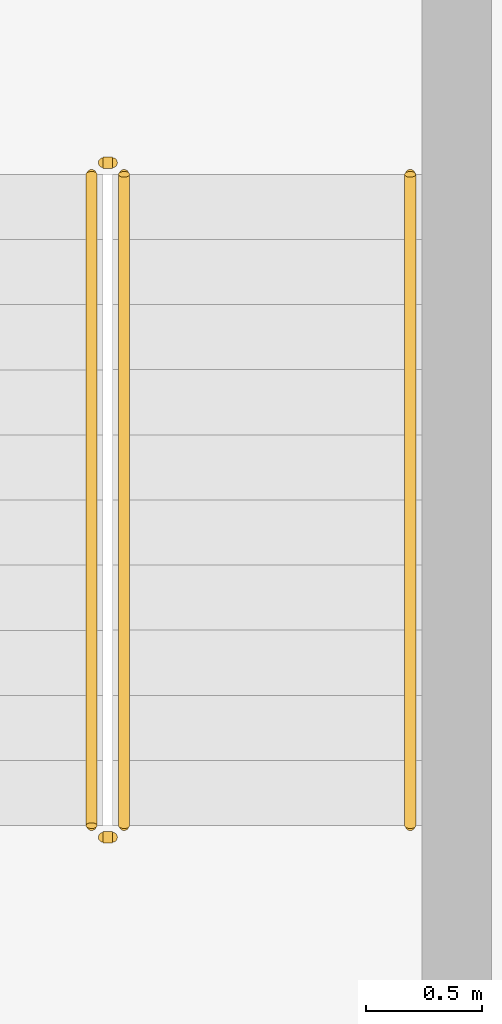
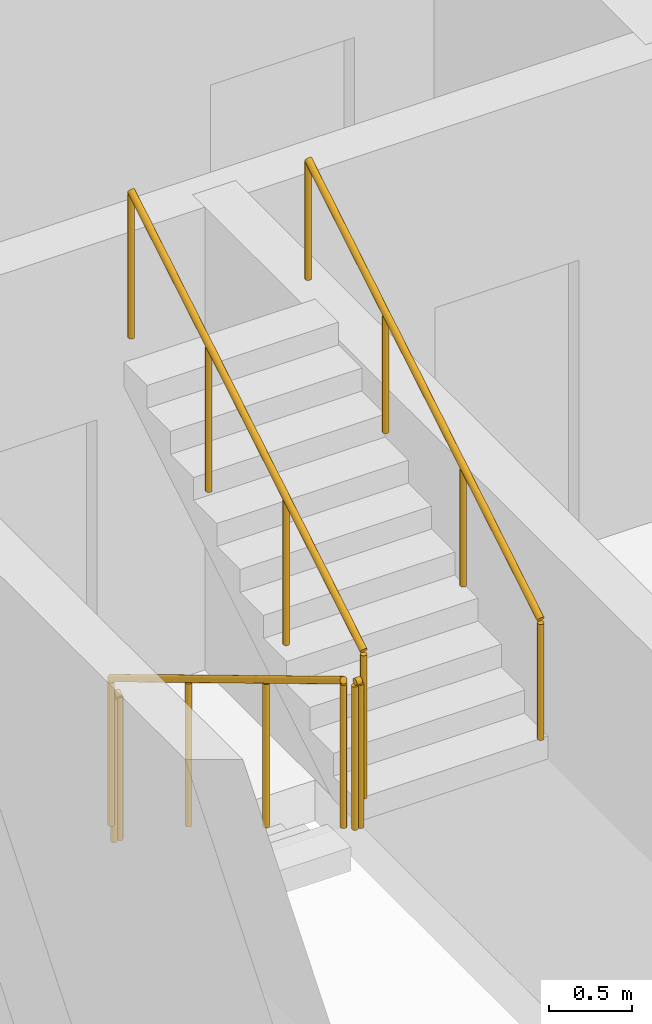
# One storey, part 19 of 19: 5 railings.
"""IFC4 building model written with IfcOpenShell, lengths in metres."""

from ifc_helpers import new_model, si_unit, direction, frame, origin, origin_2d, place, context, subcontext, project, spatial, circle, extrude, material, type_object, element, save


model = new_model("IFC4")

# Units and contexts
model_context = context("Model", 3, precision=1e-05, world=origin(), true_north=direction((0.0, 1.0)))
body_context = subcontext(model_context, "Body", "Model", "MODEL_VIEW")
ifc_project = project(units=[si_unit("LENGTHUNIT", "METRE"), si_unit("AREAUNIT", "SQUARE_METRE"), si_unit("VOLUMEUNIT", "CUBIC_METRE"), si_unit("PLANEANGLEUNIT", "RADIAN"), si_unit("MASSUNIT", "GRAM", prefix="KILO")], contexts=[model_context])

# Site, building, storey
site_placement = place(None, origin())
site = spatial("IfcSite", under=ifc_project, at=site_placement, CompositionType="ELEMENT")
building_placement = place(site_placement, origin())
building = spatial("IfcBuilding", under=site, at=building_placement, Name="Ogive Portal Towers", CompositionType="ELEMENT")
storey_placement = place(building_placement, frame((0.0, 0.0, 229.10009765625)))
storey = spatial("IfcBuildingStorey", under=building, at=storey_placement, Name="L57", CompositionType="ELEMENT", Elevation=229.10009765625)

# Railings
ifc_material_1 = material(Name="Stainless steel balustrade", Category="steel")
railing_type_1 = type_object("IfcRailingType", Name="INT-GUARD", PredefinedType="GUARDRAIL", material=ifc_material_1)
railing_1_placement = place(storey_placement, frame((88.280029296875, 29.169921875, 0.16796875)))
element("IfcRailing", 1, at=railing_1_placement, inside=storey, type_object=railing_type_1, Name="L57 ST-A4 stair guard 1", PredefinedType="GUARDRAIL", context=body_context, shape_type="SweptSolid", body=[
    extrude(circle(Radius=0.02392578125, at=origin_2d()), frame((0.0, 0.0, 1.076171875), z_axis=(0.0, -0.857222391501, 0.514946377315), x_axis=(1.0, 0.0, 0.0)), (0.0, 0.0, 1.0), 3.26611328125),
    extrude(circle(Radius=0.02099609375, at=origin_2d()), origin(), (0.0, 0.0, 1.0), 1.052001953125),
    extrude(circle(Radius=0.02099609375, at=origin_2d()), frame((0.0, -0.933349609375, 0.560546875)), (0.0, 0.0, 1.0), 1.052001953125),
    extrude(circle(Radius=0.02099609375, at=origin_2d()), frame((0.0, -1.866455078125, 1.121337890625)), (0.0, 0.0, 1.0), 1.052001953125),
    extrude(circle(Radius=0.02099609375, at=origin_2d()), frame((0.0, -2.7998046875, 1.681884765625)), (0.0, 0.0, 1.0), 1.052001953125),
])
railing_2_placement = place(storey_placement, frame((88.330078125, 26.320068359375, 1.849853515625)))
element("IfcRailing", 2, at=railing_2_placement, inside=storey, type_object=railing_type_1, Name="L57 ST-A4 stair guard 2", PredefinedType="GUARDRAIL", context=body_context, shape_type="SweptSolid", body=[
    extrude(circle(Radius=0.02392578125, at=origin_2d()), frame((0.0, 0.0, 1.076171875), z_axis=(1.0, 0.0, 0.0), x_axis=(0.0, 1.0, 0.0)), (0.0, 0.0, 1.0), 0.0400390625),
    extrude(circle(Radius=0.02099609375, at=origin_2d()), origin(), (0.0, 0.0, 1.0), 1.052001953125),
    extrude(circle(Radius=0.02099609375, at=origin_2d()), frame((0.0400390625, 0.0, 0.0)), (0.0, 0.0, 1.0), 1.052001953125),
])
railing_3_placement = place(storey_placement, frame((88.419921875, 26.3701171875, 2.01806640625)))
element("IfcRailing", 3, at=railing_3_placement, inside=storey, type_object=railing_type_1, Name="L57 ST-A4 stair guard 3", PredefinedType="GUARDRAIL", context=body_context, shape_type="SweptSolid", body=[
    extrude(circle(Radius=0.02392578125, at=origin_2d()), frame((0.0, 0.0, 1.076171875), z_axis=(0.0, 0.857222391501, 0.514946377315), x_axis=(-1.0, 0.0, 0.0)), (0.0, 0.0, 1.0), 3.26611328125),
    extrude(circle(Radius=0.02099609375, at=origin_2d()), origin(), (0.0, 0.0, 1.0), 1.052001953125),
    extrude(circle(Radius=0.02099609375, at=origin_2d()), frame((0.0, 0.933349609375, 0.560546875)), (0.0, 0.0, 1.0), 1.052001953125),
    extrude(circle(Radius=0.02099609375, at=origin_2d()), frame((0.0, 1.866455078125, 1.121337890625)), (0.0, 0.0, 1.0), 1.052001953125),
    extrude(circle(Radius=0.02099609375, at=origin_2d()), frame((0.0, 2.7998046875, 1.681884765625)), (0.0, 0.0, 1.0), 1.052001953125),
])
railing_4_placement = place(storey_placement, frame((88.330078125, 29.219970703125, 0.0)))
element("IfcRailing", 4, at=railing_4_placement, inside=storey, type_object=railing_type_1, Name="L57 ST-A4 stair guard 4", PredefinedType="GUARDRAIL", context=body_context, shape_type="SweptSolid", body=[
    extrude(circle(Radius=0.02392578125, at=origin_2d()), frame((0.0, 0.0, 1.076171875), z_axis=(1.0, 0.0, 0.0), x_axis=(0.0, 1.0, 0.0)), (0.0, 0.0, 1.0), 0.0400390625),
    extrude(circle(Radius=0.02099609375, at=origin_2d()), origin(), (0.0, 0.0, 1.0), 1.052001953125),
    extrude(circle(Radius=0.02099609375, at=origin_2d()), frame((0.0400390625, 0.0, 0.0)), (0.0, 0.0, 1.0), 1.052001953125),
])
ifc_material_2 = material(Name="Stainless steel handrail", Category="steel")
railing_type_2 = type_object("IfcRailingType", Name="INT-HANDRAIL", PredefinedType="HANDRAIL", material=ifc_material_2)
railing_5_placement = place(storey_placement, frame((89.64990234375, 26.3701171875, 2.01806640625)))
element("IfcRailing", 5, at=railing_5_placement, inside=storey, type_object=railing_type_2, Name="L57 ST-A4 stair handrail 2", PredefinedType="HANDRAIL", context=body_context, shape_type="SweptSolid", body=[
    extrude(circle(Radius=0.02392578125, at=origin_2d()), frame((0.0, 0.0, 0.8759765625), z_axis=(0.0, 0.857222391501, 0.514946377315), x_axis=(-1.0, 0.0, 0.0)), (0.0, 0.0, 1.0), 3.26611328125),
    extrude(circle(Radius=0.02099609375, at=origin_2d()), origin(), (0.0, 0.0, 1.0), 0.851806640625),
    extrude(circle(Radius=0.02099609375, at=origin_2d()), frame((0.0, 0.933349609375, 0.560546875)), (0.0, 0.0, 1.0), 0.851806640625),
    extrude(circle(Radius=0.02099609375, at=origin_2d()), frame((0.0, 1.866455078125, 1.121337890625)), (0.0, 0.0, 1.0), 0.851806640625),
    extrude(circle(Radius=0.02099609375, at=origin_2d()), frame((0.0, 2.7998046875, 1.681884765625)), (0.0, 0.0, 1.0), 0.851806640625),
])

save(model, "model.ifc")
